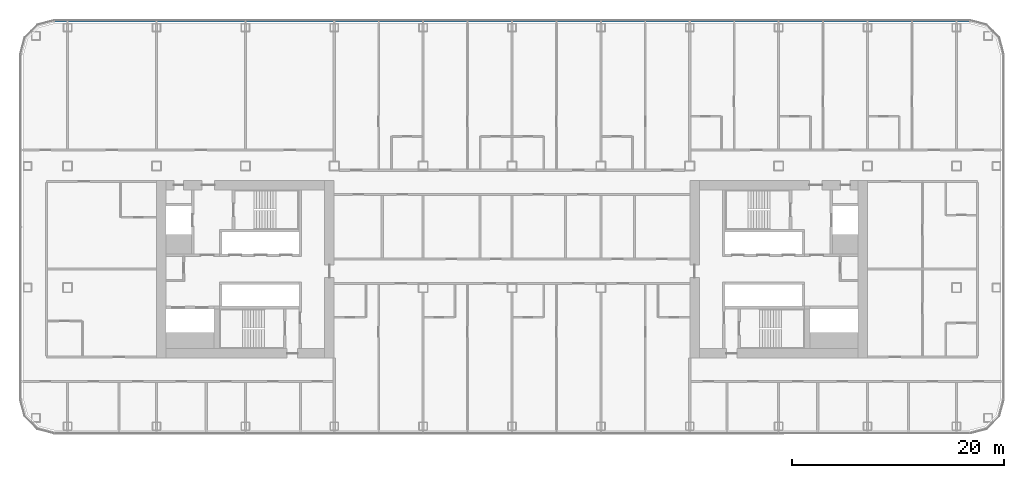
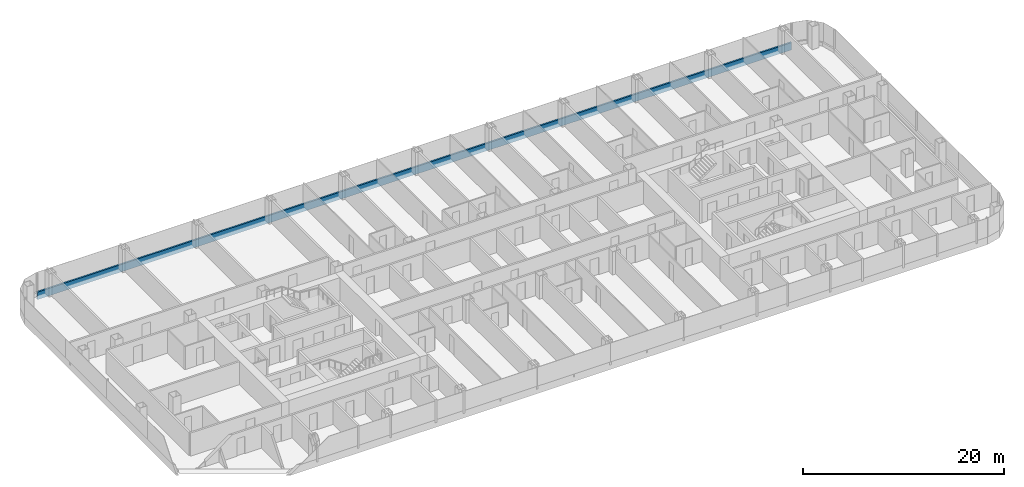
# One storey, part 9 of 29: 1 member, 1 element without a shape of its own.
"""IFC4 building model written with IfcOpenShell, lengths in metres."""

from ifc_helpers import new_model, si_unit, direction, frame, origin, origin_2d, place, context, subcontext, project, spatial, rectangle, extrude, material, layer, layer_set, material_profile, profile_set, type_object, element, aggregate, save


model = new_model("IFC4")

# Units and contexts
model_context = context("Model", 3, precision=1e-05, world=origin(), true_north=direction((0.0, 1.0)))
body_context = subcontext(model_context, "Body", "Model", "MODEL_VIEW")
ifc_project = project(units=[si_unit("LENGTHUNIT", "METRE"), si_unit("AREAUNIT", "SQUARE_METRE"), si_unit("VOLUMEUNIT", "CUBIC_METRE"), si_unit("PLANEANGLEUNIT", "RADIAN"), si_unit("MASSUNIT", "GRAM", prefix="KILO")], contexts=[model_context])

# Site, building, storey
site_placement = place(None, origin())
site = spatial("IfcSite", under=ifc_project, at=site_placement, CompositionType="ELEMENT")
building_placement = place(site_placement, origin())
building = spatial("IfcBuilding", under=site, at=building_placement, Name="Hakoniwa Tower and Hamabe Station Hall", CompositionType="ELEMENT")
storey_placement = place(building_placement, frame((0.0, 0.0, 88.199951171875)))
storey = spatial("IfcBuildingStorey", under=building, at=storey_placement, Name="L24", CompositionType="ELEMENT", Elevation=88.199951171875)

# Curtain wall, member
ifc_material_1 = material(Name="Dark low-e laminated glass", Category="glass")
ifc_layer = layer(ifc_material_1, 0.199951171875)
ifc_layer_set = layer_set([ifc_layer], Name="CW-1 UNITISED GUEST")
curtain_wall_type = type_object("IfcCurtainWallType", Name="CW-1 UNITISED GUEST", PredefinedType="NOTDEFINED", material=ifc_layer_set)
curtain_wall_placement = place(storey_placement, origin())
curtain_wall = element("IfcCurtainWall", 1, at=curtain_wall_placement, inside=storey, type_object=curtain_wall_type, Name="CW-1 curtain wall", PredefinedType="NOTDEFINED")
ifc_material_2 = material(Name="Aluminium 6063-T5 black anodised", Category="aluminium")
ifc_material_profile = material_profile(ifc_material_2, rectangle(XDim=0.199951171875, YDim=0.89990234375, at=origin_2d()), Name="CW SLAB-EDGE BAND 900X200")
ifc_profile_set = profile_set([ifc_material_profile], Name="Aluminium 6063-T5 black anodised")
member_type = type_object("IfcMemberType", Name="CW SLAB-EDGE BAND 900X200", PredefinedType="USERDEFINED", material=ifc_profile_set)
member_placement = place(storey_placement, frame((43.239501953125, 23.449951171875, -0.099853515625), z_axis=(-1.0, 0.0, 0.0), x_axis=(0.0, -1.0, 0.0)))
member = element("IfcMember", 2, at=member_placement, type_object=member_type, Name="CW-1 transom", ObjectType="TRANSOM", PredefinedType="USERDEFINED", context=body_context, shape_type="SweptSolid", body=[
    extrude(rectangle(XDim=0.199951171875, YDim=0.89990234375, at=origin_2d()), origin(), (0.0, 0.0, 1.0), 86.47900390625),
])
aggregate(curtain_wall, [member])

save(model, "model.ifc")
